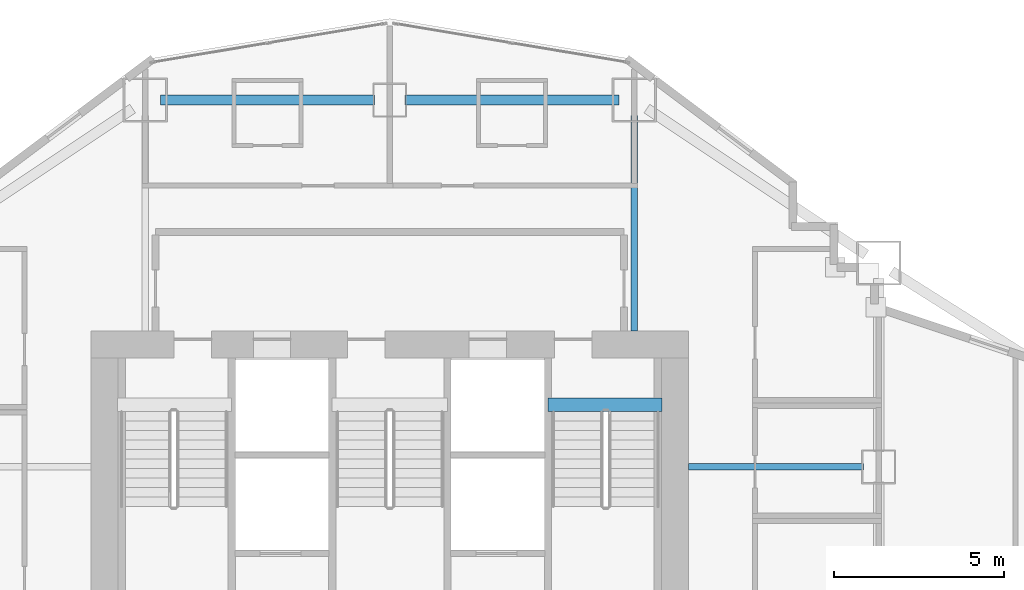
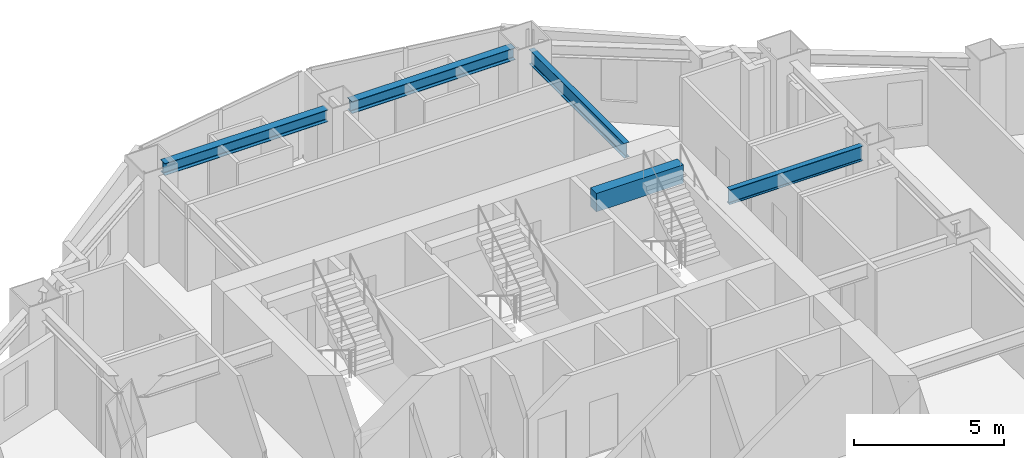
# One storey, part 3 of 19: 5 beams.
"""IFC4 building model written with IfcOpenShell, lengths in metres."""

from ifc_helpers import new_model, si_unit, direction, frame, origin, origin_2d, place, context, subcontext, project, spatial, rectangle, i_section, extrude, material, material_profile, profile_set, type_object, element, save


model = new_model("IFC4")

# Units and contexts
model_context = context("Model", 3, precision=1e-05, world=origin(), true_north=direction((0.0, 1.0)))
body_context = subcontext(model_context, "Body", "Model", "MODEL_VIEW")
ifc_project = project(units=[si_unit("LENGTHUNIT", "METRE"), si_unit("AREAUNIT", "SQUARE_METRE"), si_unit("VOLUMEUNIT", "CUBIC_METRE"), si_unit("PLANEANGLEUNIT", "RADIAN"), si_unit("MASSUNIT", "GRAM", prefix="KILO")], contexts=[model_context])

# Site, building, storey
site_placement = place(None, origin())
site = spatial("IfcSite", under=ifc_project, at=site_placement, CompositionType="ELEMENT")
building_placement = place(site_placement, origin())
building = spatial("IfcBuilding", under=site, at=building_placement, Name="Haolan Belvedere Tower", CompositionType="ELEMENT")
storey_placement = place(building_placement, frame((0.0, 0.0, 39.199951171875)))
storey = spatial("IfcBuildingStorey", under=building, at=storey_placement, Name="L09", CompositionType="ELEMENT", Elevation=39.199951171875)

# Beams
ifc_material_1 = material(Name="Steel Q355B", Category="steel")
ifc_material_profile_1 = material_profile(ifc_material_1, i_section(OverallWidth=0.300048828125, OverallDepth=0.488037109375, WebThickness=0.010986328125, FlangeThickness=0.01806640625, FilletRadius=0.02587890625, at=origin_2d()), Name="Steel Q355B")
ifc_profile_set_1 = profile_set([ifc_material_profile_1], Name="Steel Q355B")
beam_type_1 = type_object("IfcBeamType", Name="BM-HM488x300x11x18", PredefinedType="SPANDREL", material=ifc_profile_set_1)
beam_1_placement = place(storey_placement, frame((31.64990234375, 50.39990234375, 3.296142578125), z_axis=(1.0, 0.0, 0.0), x_axis=(0.0, 1.0, 0.0)))
element("IfcBeam", 1, at=beam_1_placement, inside=storey, type_object=beam_type_1, Name="L09 spandrel girder MC-T3-N1-TC-T3-NM", PredefinedType="SPANDREL", context=body_context, shape_type="SweptSolid", body=[
    extrude(i_section(OverallWidth=0.300048828125, OverallDepth=0.488037109375, WebThickness=0.010986328125, FlangeThickness=0.01806640625, FilletRadius=0.02587890625, at=origin_2d()), origin(), (0.0, 0.0, 1.0), 6.300048828125),
])
beam_2_placement = place(storey_placement, frame((38.85009765625, 50.39990234375, 3.296142578125), z_axis=(1.0, 0.0, 0.0), x_axis=(0.0, 1.0, 0.0)))
element("IfcBeam", 2, at=beam_2_placement, inside=storey, type_object=beam_type_1, Name="L09 spandrel girder TC-T3-NM-MC-T3-N2", PredefinedType="SPANDREL", context=body_context, shape_type="SweptSolid", body=[
    extrude(i_section(OverallWidth=0.300048828125, OverallDepth=0.488037109375, WebThickness=0.010986328125, FlangeThickness=0.01806640625, FilletRadius=0.02587890625, at=origin_2d()), origin(), (0.0, 0.0, 1.0), 6.2998046875),
])
ifc_material_profile_2 = material_profile(ifc_material_1, i_section(OverallWidth=0.199951171875, OverallDepth=0.60009765625, WebThickness=0.010986328125, FlangeThickness=0.01708984375, FilletRadius=0.02197265625, at=origin_2d()), Name="Steel Q355B")
ifc_profile_set_2 = profile_set([ifc_material_profile_2], Name="Steel Q355B")
beam_type_2 = type_object("IfcBeamType", Name="BM-HN600x200x11x17", PredefinedType="BEAM", material=ifc_profile_set_2)
beam_3_placement = place(storey_placement, frame((52.35009765625, 39.60009765625, 3.239990234375), z_axis=(-1.0, 0.0, 0.0), x_axis=(0.0, -1.0, 0.0)))
element("IfcBeam", 3, at=beam_3_placement, inside=storey, type_object=beam_type_2, Name="L09 core tie beam from TC-T3-E2", PredefinedType="BEAM", context=body_context, shape_type="SweptSolid", body=[
    extrude(i_section(OverallWidth=0.199951171875, OverallDepth=0.60009765625, WebThickness=0.010986328125, FlangeThickness=0.01708984375, FilletRadius=0.02197265625, at=origin_2d()), origin(), (0.0, 0.0, 1.0), 5.150146484375),
])
beam_4_placement = place(storey_placement, frame((45.60009765625, 49.949951171875, 3.239990234375), z_axis=(0.0, -1.0, 0.0), x_axis=(1.0, 0.0, 0.0)))
element("IfcBeam", 4, at=beam_4_placement, inside=storey, type_object=beam_type_2, Name="L09 core tie beam from MC-T3-N2", PredefinedType="BEAM", context=body_context, shape_type="SweptSolid", body=[
    extrude(i_section(OverallWidth=0.199951171875, OverallDepth=0.60009765625, WebThickness=0.010986328125, FlangeThickness=0.01708984375, FilletRadius=0.02197265625, at=origin_2d()), origin(), (0.0, 0.0, 1.0), 6.349853515625),
])
ifc_material_2 = material(Name="Concrete C50/60", Category="concrete")
ifc_material_profile_3 = material_profile(ifc_material_2, rectangle(XDim=0.39990234375, YDim=0.75, at=origin_2d()), Name="Concrete C50/60")
ifc_profile_set_3 = profile_set([ifc_material_profile_3], Name="Concrete C50/60")
beam_type_3 = type_object("IfcBeamType", Name="BM-RC400x750", PredefinedType="T_BEAM", material=ifc_profile_set_3)
beam_5_placement = place(storey_placement, frame((43.06005859375, 41.429931640625, 3.425048828125), z_axis=(1.0, 0.0, 0.0), x_axis=(0.0, 1.0, 0.0)))
element("IfcBeam", 5, at=beam_5_placement, inside=storey, type_object=beam_type_3, Name="L10 stair ST2 RC header trimmer beam", PredefinedType="BEAM", context=body_context, shape_type="SweptSolid", body=[
    extrude(rectangle(XDim=0.39990234375, YDim=0.75, at=origin_2d()), origin(), (0.0, 0.0, 1.0), 3.35986328125),
])

save(model, "model.ifc")
